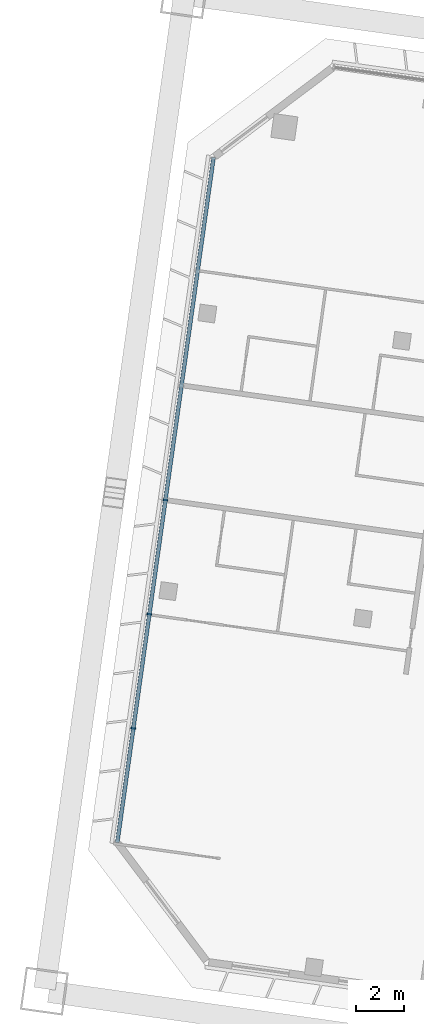
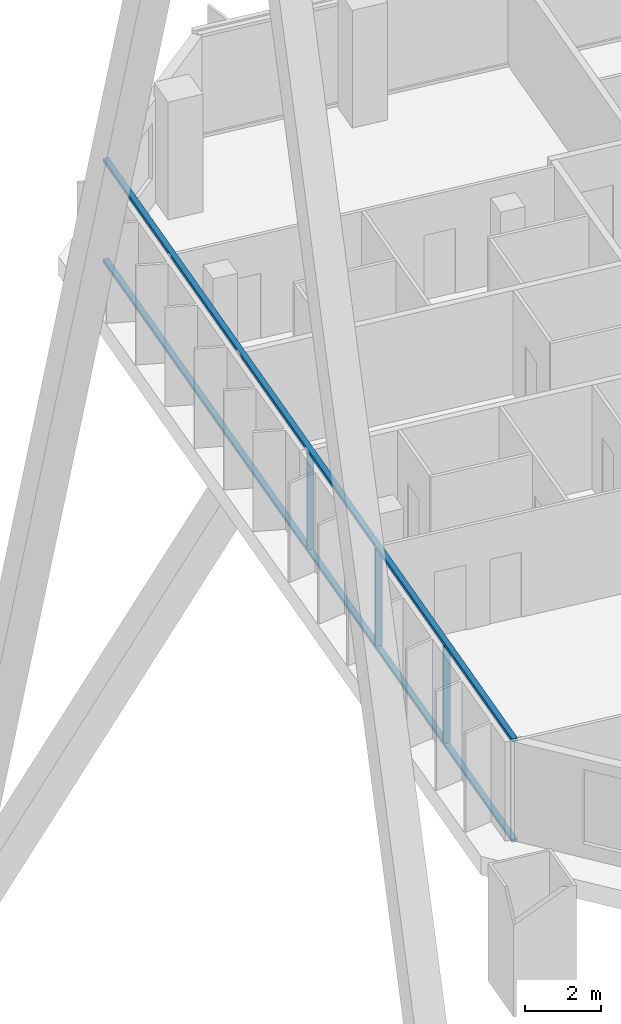
# One storey, part 4 of 49: 5 members, 1 element without a shape of its own.
"""IFC4 building model written with IfcOpenShell, lengths in metres."""

from ifc_helpers import new_model, si_unit, direction, frame, origin, origin_2d, place, context, subcontext, project, spatial, rectangle, extrude, material, material_profile, profile_set, type_object, element, aggregate, save


model = new_model("IFC4")

# Units and contexts
model_context = context("Model", 3, precision=1e-05, world=origin(), true_north=direction((0.0, 1.0)))
body_context = subcontext(model_context, "Body", "Model", "MODEL_VIEW")
ifc_project = project(units=[si_unit("LENGTHUNIT", "METRE"), si_unit("AREAUNIT", "SQUARE_METRE"), si_unit("VOLUMEUNIT", "CUBIC_METRE"), si_unit("PLANEANGLEUNIT", "RADIAN"), si_unit("MASSUNIT", "GRAM", prefix="KILO")], contexts=[model_context])

# Site, building, storey
site_placement = place(None, origin())
site = spatial("IfcSite", under=ifc_project, at=site_placement, CompositionType="ELEMENT")
building_placement = place(site_placement, origin())
building = spatial("IfcBuilding", under=site, at=building_placement, Name="Mirante Cascada Hotel Towers", CompositionType="ELEMENT")
storey_placement = place(building_placement, frame((0.0, 0.0, 66.1)))
storey = spatial("IfcBuildingStorey", under=building, at=storey_placement, Name="L13", CompositionType="ELEMENT", Elevation=66.1)

# Curtain wall, members
ifc_material_1 = material(Name="Aluminium mullion and transom frame with clear laminated glass", Category="aluminium")
curtain_wall_type = type_object("IfcCurtainWallType", Name="End ribbon curtain wall ECW2", PredefinedType="NOTDEFINED", material=ifc_material_1)
curtain_wall_placement = place(storey_placement, origin())
curtain_wall = element("IfcCurtainWall", 1, at=curtain_wall_placement, inside=storey, type_object=curtain_wall_type, Name="Outer end wall T1 L13", PredefinedType="NOTDEFINED")
ifc_material_2 = material(Name="Anodised aluminium extrusion", Category="aluminium")
ifc_material_profile_1 = material_profile(ifc_material_2, rectangle(XDim=0.2, YDim=0.065, at=origin_2d()), Name="ECW2 MULLION 65x200")
ifc_profile_set_1 = profile_set([ifc_material_profile_1], Name="Anodised aluminium extrusion")
member_type_1 = type_object("IfcMemberType", Name="ECW2 mullion 65x200", PredefinedType="MULLION", material=ifc_profile_set_1)
member_1_placement = place(storey_placement, frame((-102.4903, -1.532, 0.1), z_axis=(0.0, 0.0, 1.0), x_axis=(-0.9902681, 0.1391731, 0.0)))
member_1 = element("IfcMember", 2, at=member_1_placement, type_object=member_type_1, Name="ECW2 mullion 2", PredefinedType="MULLION", context=body_context, shape_type="SweptSolid", body=[
    extrude(rectangle(XDim=0.2, YDim=0.065, at=origin_2d()), origin(), (0.0, 0.0, 1.0), 3.15),
])
member_2_placement = place(storey_placement, frame((-101.8205, 3.2338, 0.1), z_axis=(0.0, 0.0, 1.0), x_axis=(-0.9902681, 0.1391731, 0.0)))
member_2 = element("IfcMember", 3, at=member_2_placement, type_object=member_type_1, Name="ECW2 mullion 3", PredefinedType="MULLION", context=body_context, shape_type="SweptSolid", body=[
    extrude(rectangle(XDim=0.2, YDim=0.065, at=origin_2d()), origin(), (0.0, 0.0, 1.0), 3.15),
])
member_3_placement = place(storey_placement, frame((-101.1508, 7.9996, 0.1), z_axis=(0.0, 0.0, 1.0), x_axis=(-0.9902681, 0.1391731, 0.0)))
member_3 = element("IfcMember", 4, at=member_3_placement, type_object=member_type_1, Name="ECW2 mullion 4", PredefinedType="MULLION", context=body_context, shape_type="SweptSolid", body=[
    extrude(rectangle(XDim=0.2, YDim=0.065, at=origin_2d()), origin(), (0.0, 0.0, 1.0), 3.15),
])
ifc_material_3 = material(Name="Anodised aluminium extrusion", Category="aluminium")
ifc_material_profile_2 = material_profile(ifc_material_3, rectangle(XDim=0.16, YDim=0.1, at=origin_2d()), Name="ECW2 TRANSOM 100x160")
ifc_profile_set_2 = profile_set([ifc_material_profile_2], Name="Anodised aluminium extrusion")
member_type_2 = type_object("IfcMemberType", Name="ECW2 transom 100x160", PredefinedType="USERDEFINED", material=ifc_profile_set_2)
member_4_placement = place(storey_placement, frame((-103.1601, -6.2978, 0.05), z_axis=(0.1391723, 0.9902682, 0.0), x_axis=(-0.9902682, 0.1391723, 0.0)))
member_4 = element("IfcMember", 5, at=member_4_placement, type_object=member_type_2, Name="ECW2 sill transom", ObjectType="TRANSOM", PredefinedType="USERDEFINED", context=body_context, shape_type="SweptSolid", body=[
    extrude(rectangle(XDim=0.16, YDim=0.1, at=origin_2d()), origin(), (0.0, 0.0, 1.0), 28.8757),
])
member_5_placement = place(storey_placement, frame((-103.1601, -6.2978, 3.3), z_axis=(0.1391723, 0.9902682, 0.0), x_axis=(-0.9902682, 0.1391723, 0.0)))
member_5 = element("IfcMember", 6, at=member_5_placement, type_object=member_type_2, Name="ECW2 head transom", ObjectType="TRANSOM", PredefinedType="USERDEFINED", context=body_context, shape_type="SweptSolid", body=[
    extrude(rectangle(XDim=0.16, YDim=0.1, at=origin_2d()), origin(), (0.0, 0.0, 1.0), 28.8757),
])
aggregate(curtain_wall, [member_4, member_5, member_1, member_2, member_3])

save(model, "model.ifc")
